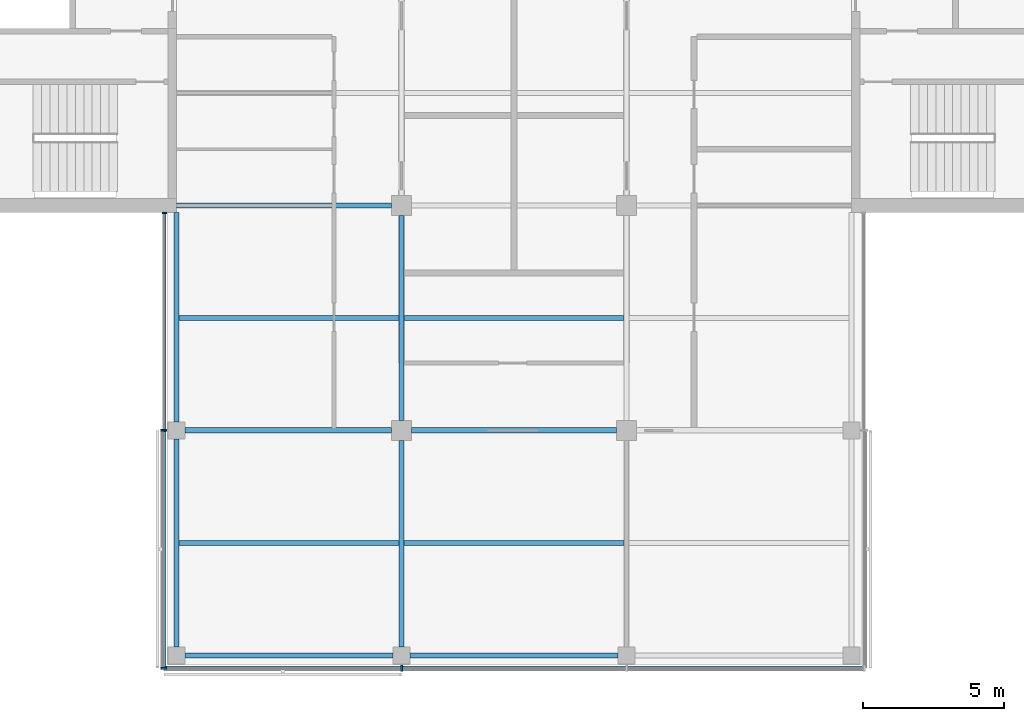
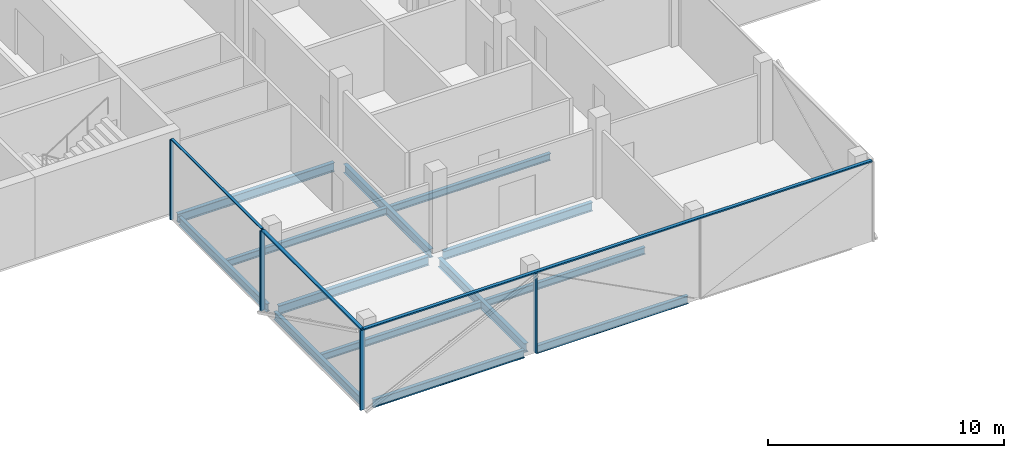
# One storey, part 2 of 16: 13 beams, 8 members, 3 elements without a shape of their own.
"""IFC4 building model written with IfcOpenShell, lengths in metres."""

from ifc_helpers import new_model, si_unit, direction, frame, origin, origin_2d, place, context, subcontext, project, spatial, rectangle, i_section, extrude, material, material_profile, profile_set, type_object, element, aggregate, save


model = new_model("IFC4")

# Units and contexts
model_context = context("Model", 3, precision=1e-05, world=origin(), true_north=direction((0.0, 1.0)))
body_context = subcontext(model_context, "Body", "Model", "MODEL_VIEW")
ifc_project = project(units=[si_unit("LENGTHUNIT", "METRE"), si_unit("AREAUNIT", "SQUARE_METRE"), si_unit("VOLUMEUNIT", "CUBIC_METRE"), si_unit("PLANEANGLEUNIT", "RADIAN"), si_unit("MASSUNIT", "GRAM", prefix="KILO")], contexts=[model_context])

# Site, building, storey
site_placement = place(None, origin())
site = spatial("IfcSite", under=ifc_project, at=site_placement, CompositionType="ELEMENT")
building_placement = place(site_placement, origin())
building = spatial("IfcBuilding", under=site, at=building_placement, Name="Crosswind Convention Tower", CompositionType="ELEMENT")
storey_placement = place(building_placement, frame((0.0, 0.0, 287.10009765625)))
storey = spatial("IfcBuildingStorey", under=building, at=storey_placement, Name="L62", CompositionType="ELEMENT", Elevation=287.10009765625)

# Beams
ifc_material_1 = material(Name="Steel S355", Category="steel")
ifc_material_profile_1 = material_profile(ifc_material_1, i_section(OverallWidth=0.177734375, OverallDepth=0.406494140625, WebThickness=0.0078125, FlangeThickness=0.0126953125, FilletRadius=0.01025390625, at=origin_2d()), Name="UB 406x178x60")
ifc_profile_set_1 = profile_set([ifc_material_profile_1], Name="Steel S355")
beam_type_1 = type_object("IfcBeamType", Name="Edge beam UB 406x178x60", PredefinedType="SPANDREL", material=ifc_profile_set_1)
beam_1_placement = place(storey_placement, frame((113.0, 72.300048828125, -0.50341796875), z_axis=(0.0, 1.0, 0.0), x_axis=(-1.0, 0.0, 0.0)))
element("IfcBeam", 1, at=beam_1_placement, inside=storey, type_object=beam_type_1, Name="B15 L62 edge beam 1", PredefinedType="SPANDREL", context=body_context, shape_type="SweptSolid", body=[
    extrude(i_section(OverallWidth=0.177734375, OverallDepth=0.406494140625, WebThickness=0.0078125, FlangeThickness=0.0126953125, FilletRadius=0.01025390625, at=origin_2d()), origin(), (0.0, 0.0, 1.0), 7.39990234375),
])
beam_2_placement = place(storey_placement, frame((113.0, 80.300048828125, -0.50341796875), z_axis=(0.0, 1.0, 0.0), x_axis=(-1.0, 0.0, 0.0)))
element("IfcBeam", 2, at=beam_2_placement, inside=storey, type_object=beam_type_1, Name="B15 L62 edge beam 2", PredefinedType="SPANDREL", context=body_context, shape_type="SweptSolid", body=[
    extrude(i_section(OverallWidth=0.177734375, OverallDepth=0.406494140625, WebThickness=0.0078125, FlangeThickness=0.0126953125, FilletRadius=0.01025390625, at=origin_2d()), origin(), (0.0, 0.0, 1.0), 7.449951171875),
])
for number, where, z_axis, x_axis, name in (
    (3, (113.300048828125, 72.0, -0.50341796875), (1.0, 0.0, 0.0), (0.0, 1.0, 0.0), "B15 L62 edge beam 5"),
    (4, (121.300048828125, 72.0, -0.50341796875), (1.0, 0.0, 0.0), (0.0, 1.0, 0.0), "B15 L62 edge beam 7"),
):
    element("IfcBeam", number, at=place(storey_placement, frame(where, z_axis=z_axis, x_axis=x_axis)), inside=storey, type_object=beam_type_1, Name=name, PredefinedType="SPANDREL", context=body_context, shape_type="SweptSolid", body=[
        extrude(i_section(OverallWidth=0.177734375, OverallDepth=0.406494140625, WebThickness=0.0078125, FlangeThickness=0.0126953125, FilletRadius=0.01025390625, at=origin_2d()), origin(), (0.0, 0.0, 1.0), 7.39990234375),
    ])
ifc_material_profile_2 = material_profile(ifc_material_1, i_section(OverallWidth=0.18994140625, OverallDepth=0.45361328125, WebThickness=0.008544921875, FlangeThickness=0.0126953125, FilletRadius=0.01025390625, at=origin_2d()), Name="UB 457x191x67")
ifc_profile_set_2 = profile_set([ifc_material_profile_2], Name="Steel S355")
beam_type_2 = type_object("IfcBeamType", Name="Girder UB 457x191x67", PredefinedType="BEAM", material=ifc_profile_set_2)
for number, where, z_axis, x_axis, name in (
    (5, (113.300048828125, 80.0, -0.52685546875), (1.0, 0.0, 0.0), (0.0, 1.0, 0.0), "B1 L62 girder 1"),
    (6, (121.0, 72.300048828125, -0.52685546875), (0.0, 1.0, 0.0), (-1.0, 0.0, 0.0), "B1 L62 girder 3"),
):
    element("IfcBeam", number, at=place(storey_placement, frame(where, z_axis=z_axis, x_axis=x_axis)), inside=storey, type_object=beam_type_2, Name=name, PredefinedType="BEAM", context=body_context, shape_type="SweptSolid", body=[
        extrude(i_section(OverallWidth=0.18994140625, OverallDepth=0.45361328125, WebThickness=0.008544921875, FlangeThickness=0.0126953125, FilletRadius=0.01025390625, at=origin_2d()), origin(), (0.0, 0.0, 1.0), 7.349853515625),
    ])
for number, where, z_axis, x_axis, name in (
    (7, (121.0, 80.35009765625, -0.52685546875), (0.0, 1.0, 0.0), (-1.0, 0.0, 0.0), "B1 L62 girder 4"),
    (8, (121.35009765625, 80.0, -0.52685546875), (1.0, 0.0, 0.0), (0.0, 1.0, 0.0), "B1 L62 girder 10"),
):
    element("IfcBeam", number, at=place(storey_placement, frame(where, z_axis=z_axis, x_axis=x_axis)), inside=storey, type_object=beam_type_2, Name=name, PredefinedType="BEAM", context=body_context, shape_type="SweptSolid", body=[
        extrude(i_section(OverallWidth=0.18994140625, OverallDepth=0.45361328125, WebThickness=0.008544921875, FlangeThickness=0.0126953125, FilletRadius=0.01025390625, at=origin_2d()), origin(), (0.0, 0.0, 1.0), 7.2998046875),
    ])
ifc_material_profile_3 = material_profile(ifc_material_1, i_section(OverallWidth=0.1904296875, OverallDepth=0.457275390625, WebThickness=0.009033203125, FlangeThickness=0.014404296875, FilletRadius=0.01025390625, at=origin_2d()), Name="UB 457x191x75")
ifc_profile_set_3 = profile_set([ifc_material_profile_3], Name="Steel S355")
beam_type_3 = type_object("IfcBeamType", Name="Girder at core wall UB 457x191x75", PredefinedType="BEAM", material=ifc_profile_set_3)
beam_3_placement = place(storey_placement, frame((113.0, 88.0, -0.52880859375), z_axis=(1.0, 0.0, 0.0), x_axis=(0.0, 1.0, 0.0)))
element("IfcBeam", 9, at=beam_3_placement, inside=storey, type_object=beam_type_3, Name="B22 L62 girder at core wall 1", PredefinedType="BEAM", context=body_context, shape_type="SweptSolid", body=[
    extrude(i_section(OverallWidth=0.1904296875, OverallDepth=0.457275390625, WebThickness=0.009033203125, FlangeThickness=0.014404296875, FilletRadius=0.01025390625, at=origin_2d()), origin(), (0.0, 0.0, 1.0), 7.64990234375),
])

# Curtain wall, members
ifc_material_2 = material(Name="Aluminium unitised curtain wall", Category="aluminium")
curtain_wall_type_1 = type_object("IfcCurtainWallType", Name="CORE END SLOT WALL 160", PredefinedType="USERDEFINED", material=ifc_material_2)
curtain_wall_1_placement = place(storey_placement, origin())
curtain_wall_1 = element("IfcCurtainWall", 10, at=curtain_wall_1_placement, inside=storey, type_object=curtain_wall_type_1, Name="CW6 L62 S-W.1-1 slot", ObjectType="UNITISED", PredefinedType="USERDEFINED")
ifc_material_3 = material(Name="Aluminium mullion", Category="aluminium")
ifc_material_profile_4 = material_profile(ifc_material_3, rectangle(XDim=0.159912109375, YDim=0.050048828125, at=origin_2d()), Name="AL 160X50")
ifc_profile_set_4 = profile_set([ifc_material_profile_4], Name="Aluminium mullion")
member_type_1 = type_object("IfcMemberType", Name="MULLION 50X160", PredefinedType="MULLION", material=ifc_profile_set_4)
member_1_placement = place(storey_placement, frame((112.570068359375, 87.72509765625, -0.300048828125), z_axis=(0.0, 0.0, 1.0), x_axis=(-1.0, 0.0, 0.0)))
member_1 = element("IfcMember", 11, at=member_1_placement, type_object=member_type_1, Name="CW6 mullion 1", PredefinedType="MULLION", context=body_context, shape_type="SweptSolid", body=[
    extrude(rectangle(XDim=0.159912109375, YDim=0.050048828125, at=origin_2d()), origin(), (0.0, 0.0, 1.0), 4.14990234375),
])
member_2_placement = place(storey_placement, frame((112.570068359375, 80.02490234375, -0.300048828125), z_axis=(0.0, 0.0, 1.0), x_axis=(-1.0, 0.0, 0.0)))
member_2 = element("IfcMember", 12, at=member_2_placement, type_object=member_type_1, Name="CW6 mullion 2", PredefinedType="MULLION", context=body_context, shape_type="SweptSolid", body=[
    extrude(rectangle(XDim=0.159912109375, YDim=0.050048828125, at=origin_2d()), origin(), (0.0, 0.0, 1.0), 4.14990234375),
])

curtain_wall_type_2 = type_object("IfcCurtainWallType", Name="OFFICE UNITISED WALL 220", PredefinedType="USERDEFINED", material=ifc_material_2)
curtain_wall_2_placement = place(storey_placement, origin())
curtain_wall_2 = element("IfcCurtainWall", 13, at=curtain_wall_2_placement, inside=storey, type_object=curtain_wall_type_2, Name="CW3 L62 S-W 1", ObjectType="UNITISED", PredefinedType="USERDEFINED")
ifc_material_profile_5 = material_profile(ifc_material_3, rectangle(XDim=0.219970703125, YDim=0.070068359375, at=origin_2d()), Name="AL 220X70")
ifc_profile_set_5 = profile_set([ifc_material_profile_5], Name="Aluminium mullion")
member_type_2 = type_object("IfcMemberType", Name="MULLION 70X220", PredefinedType="MULLION", material=ifc_profile_set_5)
member_3_placement = place(storey_placement, frame((112.5400390625, 80.0, -0.300048828125), z_axis=(0.0, 0.0, 1.0), x_axis=(-1.0, 0.0, 0.0)))
member_3 = element("IfcMember", 14, at=member_3_placement, type_object=member_type_2, Name="CW3 mullion 1", PredefinedType="MULLION", context=body_context, shape_type="SweptSolid", body=[
    extrude(rectangle(XDim=0.219970703125, YDim=0.070068359375, at=origin_2d()), origin(), (0.0, 0.0, 1.0), 4.1298828125),
])
member_4_placement = place(storey_placement, frame((112.5400390625, 71.5400390625, -0.300048828125), z_axis=(0.0, 0.0, 1.0), x_axis=(-1.0, 0.0, 0.0)))
member_4 = element("IfcMember", 15, at=member_4_placement, type_object=member_type_2, Name="CW3 mullion 2", PredefinedType="MULLION", context=body_context, shape_type="SweptSolid", body=[
    extrude(rectangle(XDim=0.219970703125, YDim=0.070068359375, at=origin_2d()), origin(), (0.0, 0.0, 1.0), 4.1298828125),
])

# Curtain wall, member
curtain_wall_3_placement = place(storey_placement, origin())
curtain_wall_3 = element("IfcCurtainWall", 16, at=curtain_wall_3_placement, inside=storey, type_object=curtain_wall_type_2, Name="CW3 L62 S-TIP 1", ObjectType="UNITISED", PredefinedType="USERDEFINED")
member_5_placement = place(storey_placement, frame((121.0, 71.5400390625, -0.300048828125), z_axis=(0.0, 0.0, 1.0), x_axis=(0.0, -1.0, 0.0)))
member_5 = element("IfcMember", 17, at=member_5_placement, type_object=member_type_2, Name="CW3 mullion 2", PredefinedType="MULLION", context=body_context, shape_type="SweptSolid", body=[
    extrude(rectangle(XDim=0.219970703125, YDim=0.070068359375, at=origin_2d()), origin(), (0.0, 0.0, 1.0), 4.1298828125),
])

# Beams
ifc_material_profile_6 = material_profile(ifc_material_1, i_section(OverallWidth=0.17138671875, OverallDepth=0.355712890625, WebThickness=0.00732421875, FlangeThickness=0.011474609375, FilletRadius=0.01025390625, at=origin_2d()), Name="UB 356x171x51")
ifc_profile_set_6 = profile_set([ifc_material_profile_6], Name="Steel S355")
beam_type_4 = type_object("IfcBeamType", Name="Secondary beam UB 356x171x51", PredefinedType="JOIST", material=ifc_profile_set_6)
for number, where, z_axis, x_axis, name in (
    (18, (113.0888671875, 76.0, -0.477783203125), (1.0, 0.0, 0.0), (0.0, 1.0, 0.0), "B8 L62 secondary beam 4"),
    (19, (113.0888671875, 84.0, -0.477783203125), (1.0, 0.0, 0.0), (0.0, 1.0, 0.0), "B8 L62 secondary beam 5"),
):
    element("IfcBeam", number, at=place(storey_placement, frame(where, z_axis=z_axis, x_axis=x_axis)), inside=storey, type_object=beam_type_4, Name=name, PredefinedType="JOIST", context=body_context, shape_type="SweptSolid", body=[
        extrude(i_section(OverallWidth=0.17138671875, OverallDepth=0.355712890625, WebThickness=0.00732421875, FlangeThickness=0.011474609375, FilletRadius=0.01025390625, at=origin_2d()), origin(), (0.0, 0.0, 1.0), 7.816162109375),
    ])
for number, where, z_axis, x_axis, name in (
    (20, (121.094970703125, 76.0, -0.477783203125), (1.0, 0.0, 0.0), (0.0, 1.0, 0.0), "B8 L62 secondary beam 8"),
    (21, (121.094970703125, 84.0, -0.477783203125), (1.0, 0.0, 0.0), (0.0, 1.0, 0.0), "B8 L62 secondary beam 9"),
):
    element("IfcBeam", number, at=place(storey_placement, frame(where, z_axis=z_axis, x_axis=x_axis)), inside=storey, type_object=beam_type_4, Name=name, PredefinedType="JOIST", context=body_context, shape_type="SweptSolid", body=[
        extrude(i_section(OverallWidth=0.17138671875, OverallDepth=0.355712890625, WebThickness=0.00732421875, FlangeThickness=0.011474609375, FilletRadius=0.01025390625, at=origin_2d()), origin(), (0.0, 0.0, 1.0), 7.81005859375),
    ])

# Member
ifc_material_4 = material(Name="Aluminium transom", Category="aluminium")
ifc_material_profile_7 = material_profile(ifc_material_4, rectangle(XDim=0.1201171875, YDim=0.050048828125, at=origin_2d()), Name="AL 120X50")
ifc_profile_set_7 = profile_set([ifc_material_profile_7], Name="Aluminium transom")
member_type_3 = type_object("IfcMemberType", Name="TRANSOM 50X120", PredefinedType="USERDEFINED", material=ifc_profile_set_7)
member_6_placement = place(storey_placement, frame((112.570068359375, 87.699951171875, 3.875), z_axis=(0.0, -1.0, 0.0), x_axis=(1.0, 0.0, 0.0)))
member_6 = element("IfcMember", 22, at=member_6_placement, type_object=member_type_3, Name="CW6 transom", ObjectType="TRANSOM", PredefinedType="USERDEFINED", context=body_context, shape_type="SweptSolid", body=[
    extrude(rectangle(XDim=0.1201171875, YDim=0.050048828125, at=origin_2d()), origin(), (0.0, 0.0, 1.0), 7.64990234375),
])

aggregate(curtain_wall_1, [member_1, member_2, member_6])

ifc_material_profile_8 = material_profile(ifc_material_4, rectangle(XDim=0.159912109375, YDim=0.070068359375, at=origin_2d()), Name="AL 160X70")
ifc_profile_set_8 = profile_set([ifc_material_profile_8], Name="Aluminium transom")
member_type_4 = type_object("IfcMemberType", Name="TRANSOM 70X160", PredefinedType="USERDEFINED", material=ifc_profile_set_8)
member_7_placement = place(storey_placement, frame((112.5400390625, 79.965087890625, 3.864990234375), z_axis=(0.0, -1.0, 0.0), x_axis=(1.0, 0.0, 0.0)))
member_7 = element("IfcMember", 23, at=member_7_placement, type_object=member_type_4, Name="CW3 transom", ObjectType="TRANSOM", PredefinedType="USERDEFINED", context=body_context, shape_type="SweptSolid", body=[
    extrude(rectangle(XDim=0.159912109375, YDim=0.070068359375, at=origin_2d()), origin(), (0.0, 0.0, 1.0), 8.39013671875),
])

aggregate(curtain_wall_2, [member_3, member_4, member_7])

member_8_placement = place(storey_placement, frame((112.574951171875, 71.5400390625, 3.864990234375), z_axis=(1.0, 0.0, 0.0), x_axis=(0.0, 1.0, 0.0)))
member_8 = element("IfcMember", 24, at=member_8_placement, type_object=member_type_4, Name="CW3 transom", ObjectType="TRANSOM", PredefinedType="USERDEFINED", context=body_context, shape_type="SweptSolid", body=[
    extrude(rectangle(XDim=0.159912109375, YDim=0.070068359375, at=origin_2d()), origin(), (0.0, 0.0, 1.0), 24.85009765625),
])

aggregate(curtain_wall_3, [member_5, member_8])

save(model, "model.ifc")
